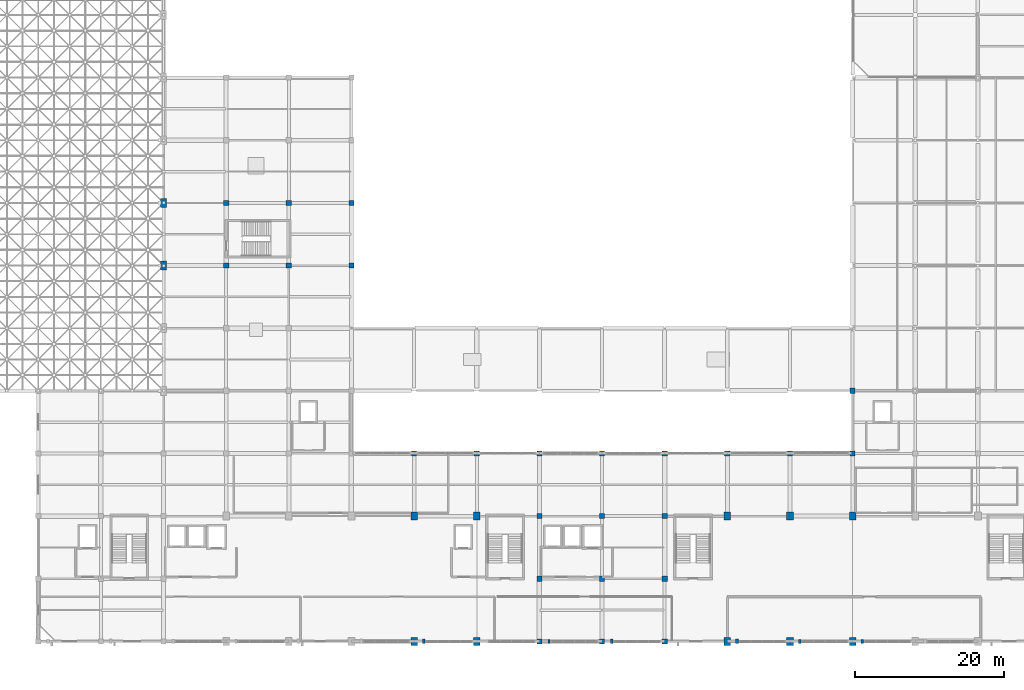
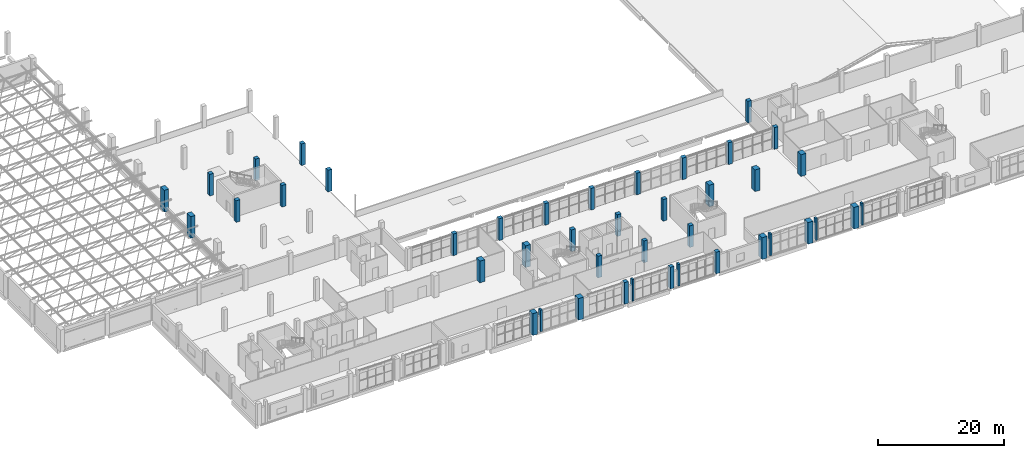
# One storey, part 3 of 64: 42 columns.
"""IFC4 building model written with IfcOpenShell, lengths in metres."""

from ifc_helpers import new_model, si_unit, derived_unit, direction, frame, origin, origin_2d, place, context, subcontext, project, spatial, rectangle, extrude, material, material_profile, profile_set, type_object, element, save


model = new_model("IFC4")

# Units and contexts
model_context = context("Model", 3, precision=1e-05, world=origin(), true_north=direction((0.0, 1.0)))
body_context = subcontext(model_context, "Body", "Model", "MODEL_VIEW")
ifc_project = project(units=[si_unit("LENGTHUNIT", "METRE"), si_unit("AREAUNIT", "SQUARE_METRE"), si_unit("VOLUMEUNIT", "CUBIC_METRE"), si_unit("PLANEANGLEUNIT", "RADIAN"), si_unit("MASSUNIT", "GRAM", prefix="KILO"), derived_unit("THERMALTRANSMITTANCEUNIT", [(si_unit("POWERUNIT", "WATT"), 1), (si_unit("LENGTHUNIT", "METRE"), -2), (si_unit("THERMODYNAMICTEMPERATUREUNIT", "KELVIN"), -1)])], contexts=[model_context])

# Site, building, storey
site_placement = place(None, origin())
site = spatial("IfcSite", under=ifc_project, at=site_placement, CompositionType="ELEMENT")
building_placement = place(site_placement, origin())
building = spatial("IfcBuilding", under=site, at=building_placement, Name="Barrovel Congress Hotel", CompositionType="ELEMENT")
storey_placement = place(building_placement, frame((0.0, 0.0, 14.10009765625)))
storey = spatial("IfcBuildingStorey", under=building, at=storey_placement, Name="L03", CompositionType="ELEMENT", Elevation=14.10009765625)

# Columns
ifc_material_1 = material(Name="Concrete C40", Category="concrete")
ifc_material_profile_1 = material_profile(ifc_material_1, rectangle(XDim=0.699951171875, YDim=0.699951171875, at=origin_2d()), Name="RC700x700")
ifc_profile_set_1 = profile_set([ifc_material_profile_1], Name="Concrete C40")
column_type_1 = type_object("IfcColumnType", Name="COL-RC700x700", PredefinedType="COLUMN", material=ifc_profile_set_1)
for number, where, z_axis, x_axis, name in (
    (1, (42.0, 54.60009765625, 0.0), (0.0, 0.0, 1.0), (1.0, 0.0, 0.0), "COL:L03:42.0:54.6"),
    (2, (42.0, 63.0, 0.0), (0.0, 0.0, 1.0), (1.0, 0.0, 0.0), "COL:L03:42.0:63.0"),
    (3, (50.39990234375, 54.60009765625, 0.0), (0.0, 0.0, 1.0), (1.0, 0.0, 0.0), "COL:L03:50.4:54.6"),
    (4, (50.39990234375, 63.0, 0.0), (0.0, 0.0, 1.0), (1.0, 0.0, 0.0), "COL:L03:50.4:63.0"),
    (5, (58.800048828125, 54.60009765625, 0.0), (0.0, 0.0, 1.0), (1.0, 0.0, 0.0), "COL:L03:58.8:54.6"),
    (6, (58.800048828125, 63.0, 0.0), (0.0, 0.0, 1.0), (1.0, 0.0, 0.0), "COL:L03:58.8:63.0"),
    (7, (67.199951171875, 29.39990234375, 0.0), (0.0, 0.0, 1.0), (1.0, 0.0, 0.0), "COL:L03:67.2:29.4"),
    (8, (75.60009765625, 29.39990234375, 0.0), (0.0, 0.0, 1.0), (1.0, 0.0, 0.0), "COL:L03:75.6:29.4"),
    (9, (84.0, 4.199951171875, 0.0), (0.0, 0.0, 1.0), (1.0, 0.0, 0.0), "COL:L03:84.0:4.2"),
    (10, (84.0, 12.60009765625, 0.0), (0.0, 0.0, 1.0), (1.0, 0.0, 0.0), "COL:L03:84.0:12.6"),
    (11, (84.0, 21.0, 0.0), (0.0, 0.0, 1.0), (1.0, 0.0, 0.0), "COL:L03:84.0:21.0"),
    (12, (84.0, 29.39990234375, 0.0), (0.0, 0.0, 1.0), (1.0, 0.0, 0.0), "COL:L03:84.0:29.4"),
    (13, (92.39990234375, 4.199951171875, 0.0), (0.0, 0.0, 1.0), (1.0, 0.0, 0.0), "COL:L03:92.4:4.2"),
    (14, (92.39990234375, 12.60009765625, 0.0), (0.0, 0.0, 1.0), (1.0, 0.0, 0.0), "COL:L03:92.4:12.6"),
    (15, (92.39990234375, 21.0, 0.0), (0.0, 0.0, 1.0), (1.0, 0.0, 0.0), "COL:L03:92.4:21.0"),
    (16, (92.39990234375, 29.39990234375, 0.0), (0.0, 0.0, 1.0), (1.0, 0.0, 0.0), "COL:L03:92.4:29.4"),
    (17, (100.800048828125, 4.199951171875, 0.0), (0.0, 0.0, 1.0), (1.0, 0.0, 0.0), "COL:L03:100.8:4.2"),
    (18, (100.800048828125, 12.60009765625, 0.0), (0.0, 0.0, 1.0), (1.0, 0.0, 0.0), "COL:L03:100.8:12.6"),
    (19, (100.800048828125, 21.0, 0.0), (0.0, 0.0, 1.0), (1.0, 0.0, 0.0), "COL:L03:100.8:21.0"),
    (20, (100.800048828125, 29.39990234375, 0.0), (0.0, 0.0, 1.0), (1.0, 0.0, 0.0), "COL:L03:100.8:29.4"),
    (21, (109.199951171875, 29.39990234375, 0.0), (0.0, 0.0, 1.0), (1.0, 0.0, 0.0), "COL:L03:109.2:29.4"),
    (22, (117.60009765625, 29.39990234375, 0.0), (0.0, 0.0, 1.0), (1.0, 0.0, 0.0), "COL:L03:117.6:29.4"),
    (23, (126.0, 29.39990234375, 0.0), (0.0, 0.0, 1.0), (1.0, 0.0, 0.0), "COL:L03:126.0:29.4"),
    (24, (126.0, 37.800048828125, 0.0), (0.0, 0.0, 1.0), (1.0, 0.0, 0.0), "COL:L03:126.0:37.8"),
):
    element("IfcColumn", number, at=place(storey_placement, frame(where, z_axis=z_axis, x_axis=x_axis)), inside=storey, type_object=column_type_1, Name=name, PredefinedType="COLUMN", context=body_context, shape_type="SweptSolid", body=[
        extrude(rectangle(XDim=0.699951171875, YDim=0.699951171875, at=origin_2d()), origin(), (0.0, 0.0, 1.0), 4.199951171875),
    ])
ifc_material_profile_2 = material_profile(ifc_material_1, rectangle(XDim=0.800048828125, YDim=1.199951171875, at=origin_2d()), Name="RC800x1200")
ifc_profile_set_2 = profile_set([ifc_material_profile_2], Name="Concrete C40")
column_type_2 = type_object("IfcColumnType", Name="COL-RC800x1200", PredefinedType="COLUMN", material=ifc_profile_set_2)
for number, where, z_axis, x_axis, name in (
    (25, (33.60009765625, 54.60009765625, 0.0), (0.0, 0.0, 1.0), (1.0, 0.0, 0.0), "COL:L03:33.6:54.6"),
    (26, (33.60009765625, 63.0, 0.0), (0.0, 0.0, 1.0), (1.0, 0.0, 0.0), "COL:L03:33.6:63.0"),
):
    element("IfcColumn", number, at=place(storey_placement, frame(where, z_axis=z_axis, x_axis=x_axis)), inside=storey, type_object=column_type_2, Name=name, PredefinedType="COLUMN", context=body_context, shape_type="SweptSolid", body=[
        extrude(rectangle(XDim=0.800048828125, YDim=1.199951171875, at=origin_2d()), origin(), (0.0, 0.0, 1.0), 4.199951171875),
    ])
ifc_material_2 = material(Name="Concrete C50", Category="concrete")
ifc_material_profile_3 = material_profile(ifc_material_2, rectangle(XDim=0.89990234375, YDim=1.10009765625, at=origin_2d()), Name="RC900x1100")
ifc_profile_set_3 = profile_set([ifc_material_profile_3], Name="Concrete C50")
column_type_3 = type_object("IfcColumnType", Name="COL-RC900x1100", PredefinedType="COLUMN", material=ifc_profile_set_3)
for number, where, z_axis, x_axis, name in (
    (27, (67.199951171875, 4.199951171875, 0.0), (0.0, 0.0, 1.0), (1.0, 0.0, 0.0), "COL:L03:67.2:4.2"),
    (28, (67.199951171875, 21.0, 0.0), (0.0, 0.0, 1.0), (1.0, 0.0, 0.0), "COL:L03:67.2:21.0"),
    (29, (75.60009765625, 4.199951171875, 0.0), (0.0, 0.0, 1.0), (1.0, 0.0, 0.0), "COL:L03:75.6:4.2"),
    (30, (75.60009765625, 21.0, 0.0), (0.0, 0.0, 1.0), (1.0, 0.0, 0.0), "COL:L03:75.6:21.0"),
    (31, (109.199951171875, 4.199951171875, 0.0), (0.0, 0.0, 1.0), (1.0, 0.0, 0.0), "COL:L03:109.2:4.2"),
    (32, (109.199951171875, 21.0, 0.0), (0.0, 0.0, 1.0), (1.0, 0.0, 0.0), "COL:L03:109.2:21.0"),
    (33, (117.60009765625, 4.199951171875, 0.0), (0.0, 0.0, 1.0), (1.0, 0.0, 0.0), "COL:L03:117.6:4.2"),
    (34, (117.60009765625, 21.0, 0.0), (0.0, 0.0, 1.0), (1.0, 0.0, 0.0), "COL:L03:117.6:21.0"),
    (35, (126.0, 4.199951171875, 0.0), (0.0, 0.0, 1.0), (1.0, 0.0, 0.0), "COL:L03:126.0:4.2"),
    (36, (126.0, 21.0, 0.0), (0.0, 0.0, 1.0), (1.0, 0.0, 0.0), "COL:L03:126.0:21.0"),
):
    element("IfcColumn", number, at=place(storey_placement, frame(where, z_axis=z_axis, x_axis=x_axis)), inside=storey, type_object=column_type_3, Name=name, PredefinedType="COLUMN", context=body_context, shape_type="SweptSolid", body=[
        extrude(rectangle(XDim=0.89990234375, YDim=1.10009765625, at=origin_2d()), origin(), (0.0, 0.0, 1.0), 4.199951171875),
    ])
ifc_material_profile_4 = material_profile(ifc_material_1, rectangle(XDim=0.300048828125, YDim=0.550048828125, at=origin_2d()), Name="RC300x550")
ifc_profile_set_4 = profile_set([ifc_material_profile_4], Name="Concrete C40")
column_type_4 = type_object("IfcColumnType", Name="PIL-RC300x550", PredefinedType="PILASTER", material=ifc_profile_set_4)
for number, where, z_axis, x_axis, name in (
    (37, (85.300048828125, 4.199951171875, 0.0), (0.0, 0.0, 1.0), (1.0, 0.0, 0.0), "PIL:L03:S:85.3"),
    (38, (118.89990234375, 4.199951171875, 0.0), (0.0, 0.0, 1.0), (1.0, 0.0, 0.0), "PIL:L03:S:118.9"),
    (39, (127.300048828125, 4.199951171875, 0.0), (0.0, 0.0, 1.0), (1.0, 0.0, 0.0), "PIL:L03:S:127.3"),
):
    element("IfcColumn", number, at=place(storey_placement, frame(where, z_axis=z_axis, x_axis=x_axis)), inside=storey, type_object=column_type_4, Name=name, PredefinedType="PILASTER", context=body_context, shape_type="SweptSolid", body=[
        extrude(rectangle(XDim=0.300048828125, YDim=0.550048828125, at=origin_2d()), origin(), (0.0, 0.0, 1.0), 4.199951171875),
    ])
ifc_material_profile_5 = material_profile(ifc_material_1, rectangle(XDim=0.35009765625, YDim=0.60009765625, at=origin_2d()), Name="RC350x600")
ifc_profile_set_5 = profile_set([ifc_material_profile_5], Name="Concrete C40")
column_type_5 = type_object("IfcColumnType", Name="PIL-RC350x600", PredefinedType="PILASTER", material=ifc_profile_set_5)
for number, where, z_axis, x_axis, name in (
    (40, (68.5, 4.199951171875, 0.0), (0.0, 0.0, 1.0), (1.0, 0.0, 0.0), "PIL:L03:S:68.5"),
    (41, (93.699951171875, 4.199951171875, 0.0), (0.0, 0.0, 1.0), (1.0, 0.0, 0.0), "PIL:L03:S:93.7"),
    (42, (110.5, 4.199951171875, 0.0), (0.0, 0.0, 1.0), (1.0, 0.0, 0.0), "PIL:L03:S:110.5"),
):
    element("IfcColumn", number, at=place(storey_placement, frame(where, z_axis=z_axis, x_axis=x_axis)), inside=storey, type_object=column_type_5, Name=name, PredefinedType="PILASTER", context=body_context, shape_type="SweptSolid", body=[
        extrude(rectangle(XDim=0.35009765625, YDim=0.60009765625, at=origin_2d()), origin(), (0.0, 0.0, 1.0), 4.199951171875),
    ])

save(model, "model.ifc")
